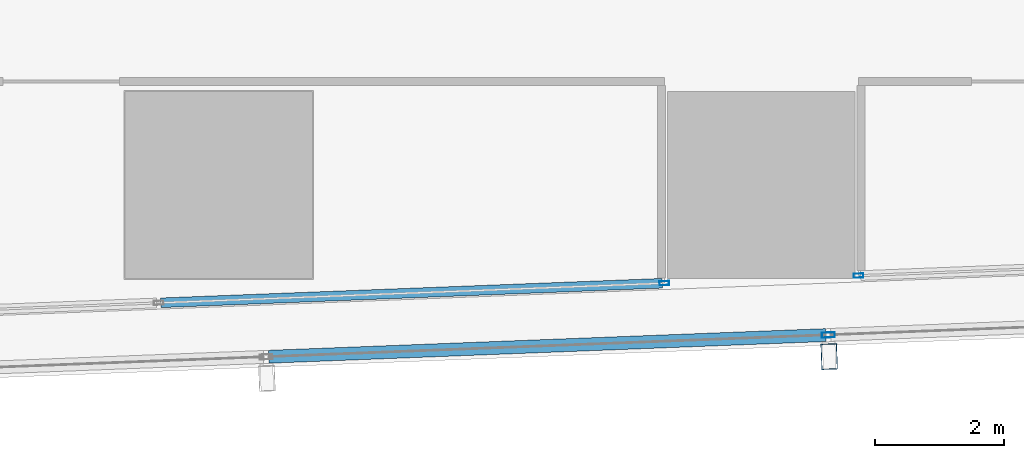
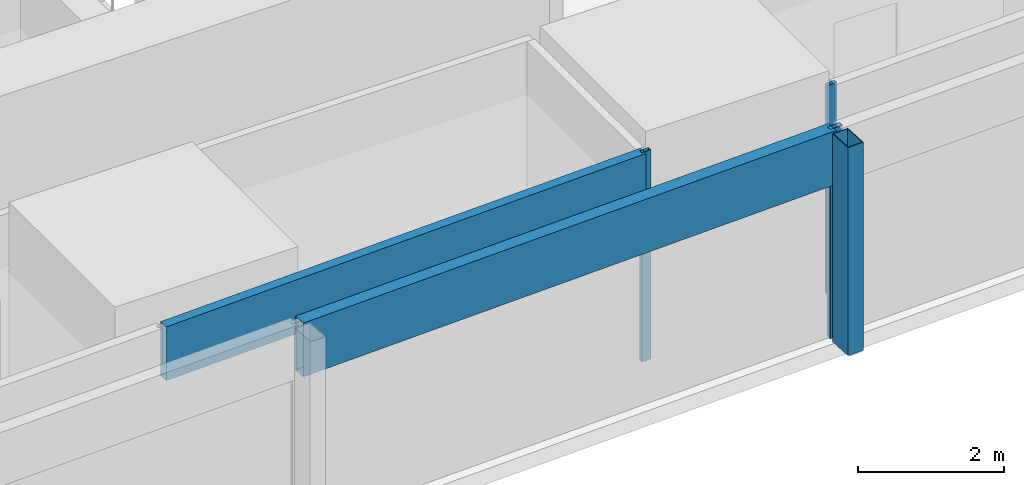
# One storey, part 10 of 40: 6 members, 3 elements without a shape of their own.
"""IFC4 building model written with IfcOpenShell, lengths in metres."""

from ifc_helpers import new_model, si_unit, direction, frame, origin, origin_2d, place, context, subcontext, project, spatial, hollow_rectangle, extrude, material, material_profile, profile_set, type_object, element, aggregate, save


model = new_model("IFC4")

# Units and contexts
model_context = context("Model", 3, precision=1e-05, world=origin(), true_north=direction((0.0, 1.0)))
body_context = subcontext(model_context, "Body", "Model", "MODEL_VIEW")
ifc_project = project(units=[si_unit("LENGTHUNIT", "METRE"), si_unit("AREAUNIT", "SQUARE_METRE"), si_unit("VOLUMEUNIT", "CUBIC_METRE"), si_unit("PLANEANGLEUNIT", "RADIAN"), si_unit("MASSUNIT", "GRAM", prefix="KILO")], contexts=[model_context])

# Site, building, storey
site_placement = place(None, origin())
site = spatial("IfcSite", under=ifc_project, at=site_placement, CompositionType="ELEMENT")
building_placement = place(site_placement, origin())
building = spatial("IfcBuilding", under=site, at=building_placement, Name="Rekha Terrace Tower", CompositionType="ELEMENT")
storey_placement = place(building_placement, frame((0.0, 0.0, 95.300048828125)))
storey = spatial("IfcBuildingStorey", under=building, at=storey_placement, Name="L23", CompositionType="ELEMENT", Elevation=95.300048828125)

# Curtain wall, member
ifc_material_1 = material(Name="Aluminium framing", Category="aluminium")
curtain_wall_type_1 = type_object("IfcCurtainWallType", Name="CW2 double skin outer glazing", PredefinedType="USERDEFINED", material=ifc_material_1)
curtain_wall_1_placement = place(storey_placement, origin())
curtain_wall_1 = element("IfcCurtainWall", 1, at=curtain_wall_1_placement, inside=storey, type_object=curtain_wall_type_1, Name="CW2 double skin outer glazing", ObjectType="DOUBLE SKIN OUTER GLAZING", PredefinedType="USERDEFINED")
ifc_material_2 = material(Name="Steel S355 with fluorocarbon finish", Category="steel")
ifc_material_profile_1 = material_profile(ifc_material_2, hollow_rectangle(XDim=0.25, YDim=0.39990234375, WallThickness=0.012451171875, at=origin_2d()), Name="RHS400x250x12.5")
ifc_profile_set_1 = profile_set([ifc_material_profile_1], Name="Steel S355 with fluorocarbon finish")
member_type_1 = type_object("IfcMemberType", Name="BL1 facade blade RHS 400 x 250", PredefinedType="USERDEFINED", material=ifc_profile_set_1)
member_1_placement = place(storey_placement, frame((51.4521484375, 14.141845703125, 0.02001953125), z_axis=(0.0, 0.0, 1.0), x_axis=(0.999243494356, 0.038890088543, 0.0)))
member_1 = element("IfcMember", 2, at=member_1_placement, type_object=member_type_1, Name="Facade blade", ObjectType="FACADE BLADE", PredefinedType="USERDEFINED", context=body_context, shape_type="SweptSolid", body=[
    extrude(hollow_rectangle(XDim=0.25, YDim=0.39990234375, WallThickness=0.012451171875, at=origin_2d()), origin(), (0.0, 0.0, 1.0), 3.47998046875),
])

curtain_wall_type_2 = type_object("IfcCurtainWallType", Name="CW1 double skin inner glazing", PredefinedType="USERDEFINED", material=ifc_material_1)
curtain_wall_2_placement = place(storey_placement, origin())
curtain_wall_2 = element("IfcCurtainWall", 3, at=curtain_wall_2_placement, inside=storey, type_object=curtain_wall_type_2, Name="CW1 double skin inner glazing", ObjectType="DOUBLE SKIN INNER GLAZING", PredefinedType="USERDEFINED")
ifc_material_3 = material(Name="Aluminium mullion section", Category="aluminium")
ifc_material_profile_2 = material_profile(ifc_material_3, hollow_rectangle(XDim=0.06494140625, YDim=0.14990234375, WallThickness=0.00390625, at=origin_2d()), Name="AL RHS 65x150")
ifc_profile_set_2 = profile_set([ifc_material_profile_2], Name="Aluminium mullion section")
member_type_2 = type_object("IfcMemberType", Name="CW1 mullion RHS 65 x 150", PredefinedType="MULLION", material=ifc_profile_set_2)
member_2_placement = place(storey_placement, frame((48.900146484375, 15.278564453125, 0.0), z_axis=(0.0, 0.0, 1.0), x_axis=(-0.038889971345, 0.999243498917, 0.0)))
member_2 = element("IfcMember", 4, at=member_2_placement, type_object=member_type_2, Name="CW1 mullion 4", PredefinedType="MULLION", context=body_context, shape_type="SweptSolid", body=[
    extrude(hollow_rectangle(XDim=0.06494140625, YDim=0.14990234375, WallThickness=0.00390625, at=origin_2d()), origin(), (0.0, 0.0, 1.0), 3.5),
])

curtain_wall_3_placement = place(storey_placement, origin())
curtain_wall_3 = element("IfcCurtainWall", 5, at=curtain_wall_3_placement, inside=storey, type_object=curtain_wall_type_2, Name="CW1 double skin inner glazing", ObjectType="DOUBLE SKIN INNER GLAZING", PredefinedType="USERDEFINED")
member_3_placement = place(storey_placement, frame((51.90625, 15.3955078125, 0.0), z_axis=(0.0, 0.0, 1.0), x_axis=(-0.038889971258, 0.999243498921, 0.0)))
member_3 = element("IfcMember", 6, at=member_3_placement, type_object=member_type_2, Name="CW1 mullion 1", PredefinedType="MULLION", context=body_context, shape_type="SweptSolid", body=[
    extrude(hollow_rectangle(XDim=0.06494140625, YDim=0.14990234375, WallThickness=0.00390625, at=origin_2d()), origin(), (0.0, 0.0, 1.0), 3.5),
])
aggregate(curtain_wall_3, [member_3])

# Member
ifc_material_4 = material(Name="Insulated aluminium spandrel box", Category="aluminium")
ifc_material_profile_3 = material_profile(ifc_material_4, hollow_rectangle(XDim=0.14990234375, YDim=0.89990234375, WallThickness=0.0029296875, at=origin_2d()), Name="AL SPANDREL BOX 150x900")
ifc_profile_set_3 = profile_set([ifc_material_profile_3], Name="Insulated aluminium spandrel box")
member_type_3 = type_object("IfcMemberType", Name="CW1 spandrel transom 150 x 900", PredefinedType="USERDEFINED", material=ifc_profile_set_3)
member_4_placement = place(storey_placement, frame((41.103515625, 14.97509765625, 3.050048828125), z_axis=(0.999243151131, 0.038898906393, 0.0), x_axis=(-0.038898906393, 0.999243151131, 0.0)))
member_4 = element("IfcMember", 7, at=member_4_placement, type_object=member_type_3, Name="CW1 spandrel transom 3", ObjectType="TRANSOM", PredefinedType="USERDEFINED", context=body_context, shape_type="SweptSolid", body=[
    extrude(hollow_rectangle(XDim=0.14990234375, YDim=0.89990234375, WallThickness=0.0029296875, at=origin_2d()), origin(), (0.0, 0.0, 1.0), 7.77001953125),
])

aggregate(curtain_wall_2, [member_2, member_4])

ifc_material_profile_4 = material_profile(ifc_material_3, hollow_rectangle(XDim=0.080078125, YDim=0.199951171875, WallThickness=0.00390625, at=origin_2d()), Name="AL RHS 80x200")
ifc_profile_set_4 = profile_set([ifc_material_profile_4], Name="Aluminium mullion section")
member_type_4 = type_object("IfcMemberType", Name="CW2 mullion RHS 80 x 200", PredefinedType="MULLION", material=ifc_profile_set_4)
member_5_placement = place(storey_placement, frame((51.439208984375, 14.4765625, 0.0), z_axis=(0.0, 0.0, 1.0), x_axis=(-0.038889971345, 0.999243498917, 0.0)))
member_5 = element("IfcMember", 8, at=member_5_placement, type_object=member_type_4, Name="CW2 mullion 4", PredefinedType="MULLION", context=body_context, shape_type="SweptSolid", body=[
    extrude(hollow_rectangle(XDim=0.080078125, YDim=0.199951171875, WallThickness=0.00390625, at=origin_2d()), origin(), (0.0, 0.0, 1.0), 3.5),
])

ifc_material_profile_5 = material_profile(ifc_material_4, hollow_rectangle(XDim=0.199951171875, YDim=0.89990234375, WallThickness=0.0029296875, at=origin_2d()), Name="AL SPANDREL BOX 200x900")
ifc_profile_set_5 = profile_set([ifc_material_profile_5], Name="Insulated aluminium spandrel box")
member_type_5 = type_object("IfcMemberType", Name="CW2 spandrel transom 200 x 900", PredefinedType="USERDEFINED", material=ifc_profile_set_5)
member_6_placement = place(storey_placement, frame((42.774169921875, 14.139404296875, 3.050048828125), z_axis=(0.999243438523, 0.038891523097, 0.0), x_axis=(-0.038891523097, 0.999243438523, 0.0)))
member_6 = element("IfcMember", 9, at=member_6_placement, type_object=member_type_5, Name="CW2 spandrel transom 3", ObjectType="TRANSOM", PredefinedType="USERDEFINED", context=body_context, shape_type="SweptSolid", body=[
    extrude(hollow_rectangle(XDim=0.199951171875, YDim=0.89990234375, WallThickness=0.0029296875, at=origin_2d()), origin(), (0.0, 0.0, 1.0), 8.631591796875),
])

aggregate(curtain_wall_1, [member_5, member_6, member_1])

save(model, "model.ifc")
